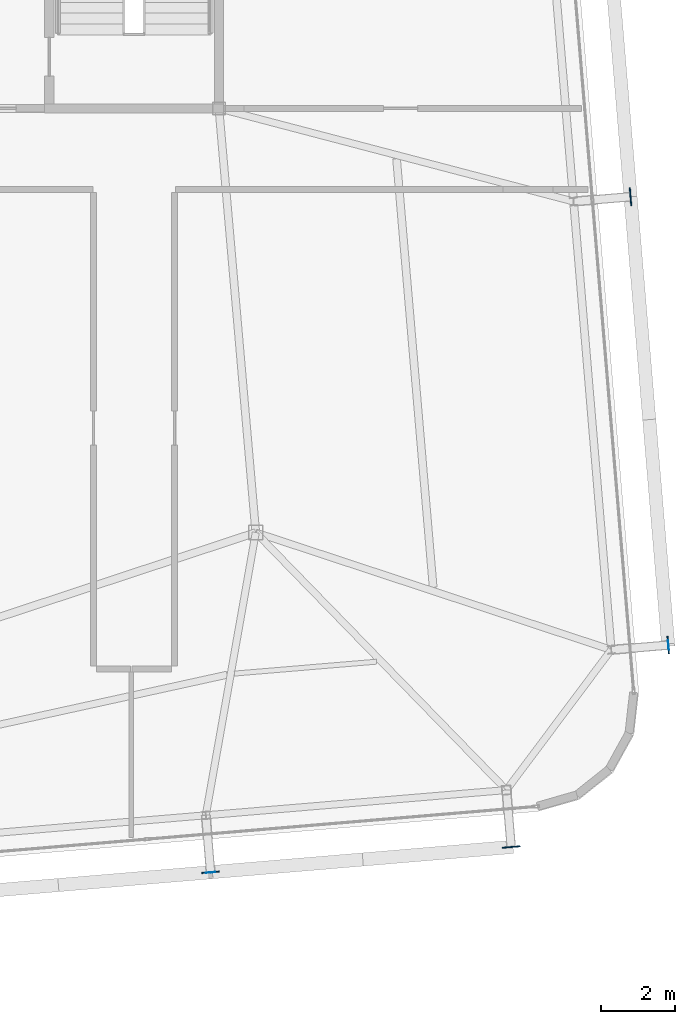
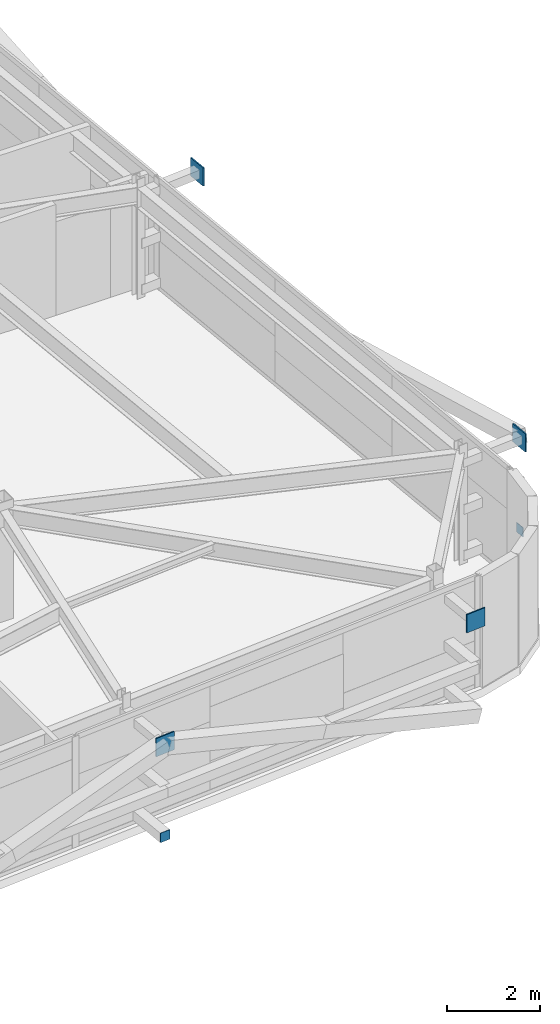
# One storey, part 30 of 37: 6 plates.
"""IFC4 building model written with IfcOpenShell, lengths in metres."""

from ifc_helpers import new_model, si_unit, direction, frame, origin, origin_2d, place, context, subcontext, project, spatial, rectangle, extrude, source, transform, mapped, material, layer, layer_set, type_object, element, save


model = new_model("IFC4")

# Units and contexts
model_context = context("Model", 3, precision=1e-05, world=origin(), true_north=direction((0.0, 1.0)))
body_context = subcontext(model_context, "Body", "Model", "MODEL_VIEW")
ifc_project = project(units=[si_unit("LENGTHUNIT", "METRE"), si_unit("AREAUNIT", "SQUARE_METRE"), si_unit("VOLUMEUNIT", "CUBIC_METRE"), si_unit("PLANEANGLEUNIT", "RADIAN"), si_unit("MASSUNIT", "GRAM", prefix="KILO")], contexts=[model_context])

# Site, building, storey
site_placement = place(None, origin())
site = spatial("IfcSite", under=ifc_project, at=site_placement, CompositionType="ELEMENT")
building_placement = place(site_placement, origin())
building = spatial("IfcBuilding", under=site, at=building_placement, Name="Taldren Reach Tower", CompositionType="ELEMENT")
storey_placement = place(building_placement, frame((0.0, 0.0, 200.89990234375)))
storey = spatial("IfcBuildingStorey", under=building, at=storey_placement, Name="L61", CompositionType="ELEMENT", Elevation=200.89990234375)

# Plates
ifc_material_1 = material(Name="Steel Gr 350 (C350L0)", Category="steel")
ifc_layer_1 = layer(ifc_material_1, 0.011962890625)
ifc_layer_set_1 = layer_set([ifc_layer_1], Name="Steel Gr 350 (C350L0)")
plate_type_1 = type_object("IfcPlateType", Name="PL-CAP-250", PredefinedType="SHEET", material=ifc_layer_set_1)
shared_shape_1 = source(origin(), body_context, "Body", "SweptSolid", [
    extrude(rectangle(XDim=0.25, YDim=0.011962890625, at=origin_2d()), origin(), (0.0, 0.0, 1.0), 0.25),
])
plate_1_placement = place(storey_placement, frame((50.775146484375, 3.281494140625, 0.09521484375), z_axis=(0.0, 0.0, 1.0), x_axis=(0.99649285925, 0.083677843332, 0.0)))
element("IfcPlate", 1, at=plate_1_placement, inside=storey, type_object=plate_type_1, Name="Tie strut end cap plate B4-S5 L61", PredefinedType="SHEET", context=body_context, shape_type="MappedRepresentation", body=[
    mapped(shared_shape_1, transform((0.0, 0.0, 0.0), scale=1.0)),
])
shared_shape_2 = source(origin(), body_context, "Body", "SweptSolid", [
    extrude(rectangle(XDim=0.011962890625, YDim=0.25, at=origin_2d()), origin(), (0.0, 0.0, 1.0), 0.25),
])
plate_2_placement = place(storey_placement, frame((63.188720703125, 9.44775390625, 0.09521484375), z_axis=(0.0, 0.0, 1.0), x_axis=(0.99649285925, 0.083677843332, 0.0)))
element("IfcPlate", 2, at=plate_2_placement, inside=storey, type_object=plate_type_1, Name="Tie strut end cap plate B4-E1 L61", PredefinedType="SHEET", context=body_context, shape_type="MappedRepresentation", body=[
    mapped(shared_shape_2, transform((0.0, 0.0, 0.0), scale=1.0)),
])
ifc_material_2 = material(Name="Steel Gr 450 (C450L0)", Category="steel")
ifc_layer_2 = layer(ifc_material_2, 0.031982421875)
ifc_layer_set_2 = layer_set([ifc_layer_2], Name="Steel Gr 450 (C450L0)")
plate_type_2 = type_object("IfcPlateType", Name="PL-GUSSET-32", PredefinedType="SHEET", material=ifc_layer_set_2)
shared_shape_3 = source(origin(), body_context, "Body", "SweptSolid", [
    extrude(rectangle(XDim=0.47998046875, YDim=0.031982421875, at=origin_2d()), origin(), (0.0, 0.0, 1.0), 0.47998046875),
])
for number, where, z_axis, x_axis, name in (
    (3, (50.774658203125, 3.287353515625, 2.41015625), (0.0, 0.0, 1.0), (0.99649285925, 0.083677843332, 0.0), "Exoskeleton star-node gusset plate B4-S5 L61"),
    (4, (58.926025390625, 3.971923828125, 2.41015625), (0.0, 0.0, 1.0), (0.99649285925, 0.083677843332, 0.0), "Exoskeleton star-node gusset plate B4-S6 L61"),
    (5, (63.1826171875, 9.447265625, 2.41015625), (0.0, 0.0, 1.0), (-0.083677843332, 0.99649285925, 0.0), "Exoskeleton star-node gusset plate B4-E1 L61"),
    (6, (62.161865234375, 21.6044921875, 2.41015625), (0.0, 0.0, 1.0), (-0.083677843332, 0.99649285925, 0.0), "Exoskeleton star-node gusset plate B4-E2 L61"),
):
    element("IfcPlate", number, at=place(storey_placement, frame(where, z_axis=z_axis, x_axis=x_axis)), inside=storey, type_object=plate_type_2, Name=name, PredefinedType="SHEET", context=body_context, shape_type="MappedRepresentation", body=[
        mapped(shared_shape_3, transform((0.0, 0.0, 0.0), scale=1.0)),
    ])

save(model, "model.ifc")
